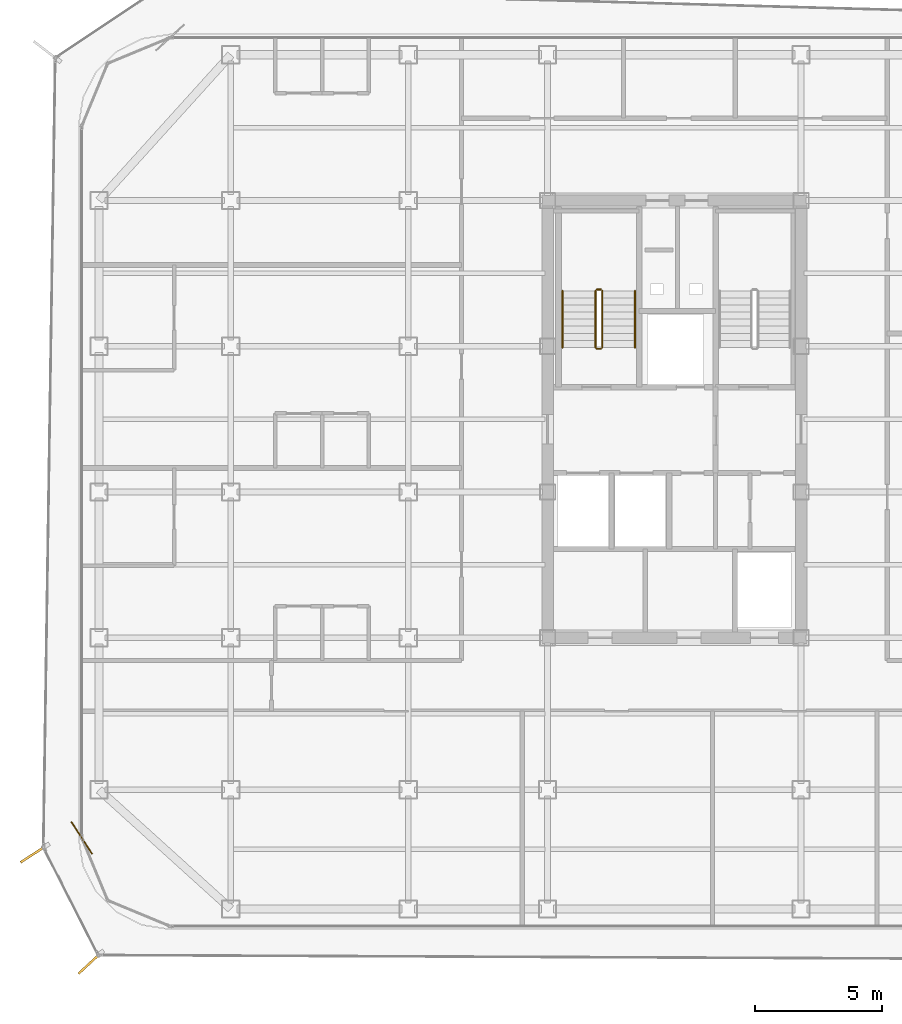
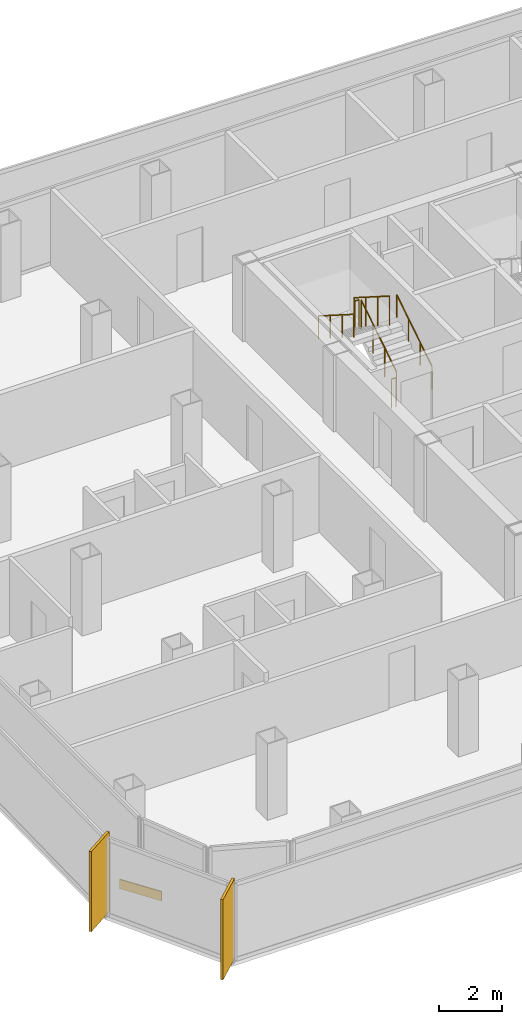
# One storey, part 13 of 15: 6 railings, 2 shading devices, 1 covering.
"""IFC4 building model written with IfcOpenShell, lengths in metres."""

from ifc_helpers import new_model, si_unit, direction, frame, origin, origin_2d, place, context, subcontext, project, spatial, rectangle, circle, extrude, source, transform, mapped, material, layer, layer_set, type_object, element, save


model = new_model("IFC4")

# Units and contexts
model_context = context("Model", 3, precision=1e-05, world=origin(), true_north=direction((0.0, 1.0)))
body_context = subcontext(model_context, "Body", "Model", "MODEL_VIEW")
ifc_project = project(units=[si_unit("LENGTHUNIT", "METRE"), si_unit("AREAUNIT", "SQUARE_METRE"), si_unit("VOLUMEUNIT", "CUBIC_METRE"), si_unit("PLANEANGLEUNIT", "RADIAN"), si_unit("MASSUNIT", "GRAM", prefix="KILO")], contexts=[model_context])

# Site, building, storey
site_placement = place(None, origin())
site = spatial("IfcSite", under=ifc_project, at=site_placement, CompositionType="ELEMENT")
building_placement = place(site_placement, origin())
building = spatial("IfcBuilding", under=site, at=building_placement, Name="Kolveth Station Tower", CompositionType="ELEMENT")
storey_placement = place(building_placement, frame((0.0, 0.0, 193.199951171875)))
storey = spatial("IfcBuildingStorey", under=building, at=storey_placement, Name="L54", CompositionType="ELEMENT", Elevation=193.199951171875)

# Railings
ifc_material_1 = material(Name="Painted Steel S355 balustrade", Category="steel")
railing_type_1 = type_object("IfcRailingType", Name="Guard_GR2", PredefinedType="BALUSTRADE", material=ifc_material_1)
railing_1_placement = place(storey_placement, frame((20.64990234375, 22.949951171875, 0.177734375)))
element("IfcRailing", 1, at=railing_1_placement, inside=storey, type_object=railing_type_1, Name="L54 ST1 stair guard 1", PredefinedType="BALUSTRADE", context=body_context, shape_type="SweptSolid", body=[
    extrude(circle(Radius=0.02392578125, at=origin_2d()), frame((0.0, 0.0, 1.1259765625), z_axis=(0.0, 0.84418770128, 0.536047689118), x_axis=(-1.0, 0.0, 0.0)), (0.0, 0.0, 1.0), 2.6533203125),
    extrude(circle(Radius=0.02099609375, at=origin_2d()), origin(), (0.0, 0.0, 1.0), 1.101806640625),
    extrude(circle(Radius=0.02099609375, at=origin_2d()), frame((0.0, 0.74658203125, 0.47412109375)), (0.0, 0.0, 1.0), 1.101806640625),
    extrude(circle(Radius=0.02099609375, at=origin_2d()), frame((0.0, 1.493408203125, 0.9482421875)), (0.0, 0.0, 1.0), 1.101806640625),
    extrude(circle(Radius=0.02099609375, at=origin_2d()), frame((0.0, 2.239990234375, 1.42236328125)), (0.0, 0.0, 1.0), 1.101806640625),
])
railing_2_placement = place(storey_placement, frame((20.60009765625, 25.239990234375, 1.60009765625)))
element("IfcRailing", 2, at=railing_2_placement, inside=storey, type_object=railing_type_1, Name="L54 ST1 stair guard 2", PredefinedType="BALUSTRADE", context=body_context, shape_type="SweptSolid", body=[
    extrude(circle(Radius=0.02392578125, at=origin_2d()), frame((0.0, 0.0, 1.1259765625), z_axis=(-1.0, 0.0, 0.0), x_axis=(0.0, -1.0, 0.0)), (0.0, 0.0, 1.0), 0.16015625),
    extrude(circle(Radius=0.02099609375, at=origin_2d()), origin(), (0.0, 0.0, 1.0), 1.101806640625),
    extrude(circle(Radius=0.02099609375, at=origin_2d()), frame((-0.16015625, 0.0, 0.0)), (0.0, 0.0, 1.0), 1.101806640625),
])
railing_3_placement = place(storey_placement, frame((20.389892578125, 25.18994140625, 1.77783203125)))
element("IfcRailing", 3, at=railing_3_placement, inside=storey, type_object=railing_type_1, Name="L54 ST1 stair guard 3", PredefinedType="BALUSTRADE", context=body_context, shape_type="SweptSolid", body=[
    extrude(circle(Radius=0.02392578125, at=origin_2d()), frame((0.0, 0.0, 1.1259765625), z_axis=(0.0, -0.8442293374, 0.53598211339), x_axis=(1.0, 0.0, 0.0)), (0.0, 0.0, 1.0), 2.6533203125),
    extrude(circle(Radius=0.02099609375, at=origin_2d()), origin(), (0.0, 0.0, 1.0), 1.101806640625),
    extrude(circle(Radius=0.02099609375, at=origin_2d()), frame((0.0, -0.74658203125, 0.47412109375)), (0.0, 0.0, 1.0), 1.101806640625),
    extrude(circle(Radius=0.02099609375, at=origin_2d()), frame((0.0, -1.493408203125, 0.947998046875)), (0.0, 0.0, 1.0), 1.101806640625),
    extrude(circle(Radius=0.02099609375, at=origin_2d()), frame((0.0, -2.239990234375, 1.422119140625)), (0.0, 0.0, 1.0), 1.101806640625),
])
railing_4_placement = place(storey_placement, frame((20.60009765625, 22.89990234375, 0.0)))
element("IfcRailing", 4, at=railing_4_placement, inside=storey, type_object=railing_type_1, Name="L54 ST1 stair guard 4", PredefinedType="BALUSTRADE", context=body_context, shape_type="SweptSolid", body=[
    extrude(circle(Radius=0.02392578125, at=origin_2d()), frame((0.0, 0.0, 1.1259765625), z_axis=(-1.0, 0.0, 0.0), x_axis=(0.0, -1.0, 0.0)), (0.0, 0.0, 1.0), 0.16015625),
    extrude(circle(Radius=0.02099609375, at=origin_2d()), origin(), (0.0, 0.0, 1.0), 1.101806640625),
    extrude(circle(Radius=0.02099609375, at=origin_2d()), frame((-0.16015625, 0.0, 0.0)), (0.0, 0.0, 1.0), 1.101806640625),
])
ifc_material_2 = material(Name="Brushed stainless steel", Category="steel")
railing_type_2 = type_object("IfcRailingType", Name="Handrail_HR1", PredefinedType="HANDRAIL", material=ifc_material_2)
railing_5_placement = place(storey_placement, frame((21.949951171875, 22.949951171875, 0.177734375)))
element("IfcRailing", 5, at=railing_5_placement, inside=storey, type_object=railing_type_2, Name="L54 ST1 stair handrail 1", PredefinedType="HANDRAIL", context=body_context, shape_type="SweptSolid", body=[
    extrude(circle(Radius=0.02392578125, at=origin_2d()), frame((0.0, 0.0, 0.8759765625), z_axis=(0.0, 0.84418770128, 0.536047689118), x_axis=(-1.0, 0.0, 0.0)), (0.0, 0.0, 1.0), 2.6533203125),
    extrude(circle(Radius=0.02099609375, at=origin_2d()), origin(), (0.0, 0.0, 1.0), 0.851806640625),
    extrude(circle(Radius=0.02099609375, at=origin_2d()), frame((0.0, 0.74658203125, 0.47412109375)), (0.0, 0.0, 1.0), 0.851806640625),
    extrude(circle(Radius=0.02099609375, at=origin_2d()), frame((0.0, 1.493408203125, 0.9482421875)), (0.0, 0.0, 1.0), 0.851806640625),
    extrude(circle(Radius=0.02099609375, at=origin_2d()), frame((0.0, 2.239990234375, 1.42236328125)), (0.0, 0.0, 1.0), 0.851806640625),
])
railing_6_placement = place(storey_placement, frame((19.090087890625, 25.18994140625, 1.77783203125)))
element("IfcRailing", 6, at=railing_6_placement, inside=storey, type_object=railing_type_2, Name="L54 ST1 stair handrail 2", PredefinedType="HANDRAIL", context=body_context, shape_type="SweptSolid", body=[
    extrude(circle(Radius=0.02392578125, at=origin_2d()), frame((0.0, 0.0, 0.8759765625), z_axis=(0.0, -0.8442293374, 0.53598211339), x_axis=(1.0, 0.0, 0.0)), (0.0, 0.0, 1.0), 2.6533203125),
    extrude(circle(Radius=0.02099609375, at=origin_2d()), origin(), (0.0, 0.0, 1.0), 0.851806640625),
    extrude(circle(Radius=0.02099609375, at=origin_2d()), frame((0.0, -0.74658203125, 0.47412109375)), (0.0, 0.0, 1.0), 0.851806640625),
    extrude(circle(Radius=0.02099609375, at=origin_2d()), frame((0.0, -1.493408203125, 0.947998046875)), (0.0, 0.0, 1.0), 0.851806640625),
    extrude(circle(Radius=0.02099609375, at=origin_2d()), frame((0.0, -2.239990234375, 1.422119140625)), (0.0, 0.0, 1.0), 0.851806640625),
])

# Shading devices
ifc_material_3 = material(Name="Black anodized aluminium 6063-T6", Category="aluminium")
shading_device_type = type_object("IfcShadingDeviceType", Name="FIN_VF1", PredefinedType="USERDEFINED", material=ifc_material_3)
shared_shape_1 = source(origin(), body_context, "Body", "SweptSolid", [
    extrude(rectangle(XDim=1.25, YDim=0.090087890625, at=origin_2d()), origin(), (0.0, 0.0, 1.0), 3.10009765625),
])
for number, where, z_axis, x_axis, name in (
    (7, (-1.76904296875, 2.97705078125, 0.0), (0.0, 0.0, 1.0), (-0.839525049921, -0.543320982988, 0.0), "L54 Dark-Aluminium Solar Fin 7"),
    (8, (0.445068359375, -1.333984375, 0.0), (0.0, 0.0, 1.0), (-0.733017953051, -0.680209291693, 0.0), "L54 Dark-Aluminium Solar Fin 8"),
):
    element("IfcShadingDevice", number, at=place(storey_placement, frame(where, z_axis=z_axis, x_axis=x_axis)), inside=storey, type_object=shading_device_type, Name=name, ObjectType="FIN", PredefinedType="USERDEFINED", context=body_context, shape_type="MappedRepresentation", body=[
        mapped(shared_shape_1, transform((0.0, 0.0, 0.0), x_axis=(1.0, 0.0, 0.0), y_axis=(0.0, 1.0, 0.0), z_axis=(0.0, 0.0, 1.0), scale=1.0)),
    ])

# Covering
ifc_material_4 = material(Name="Charcoal anodized aluminium spandrel cladding", Category="aluminium")
ifc_layer = layer(ifc_material_4, 0.044921875)
ifc_layer_set = layer_set([ifc_layer], Name="Charcoal anodized aluminium spandrel cladding")
covering_type = type_object("IfcCoveringType", Name="Clad_CD1", PredefinedType="CLADDING", material=ifc_layer_set)
shared_shape_2 = source(origin(), body_context, "Body", "SweptSolid", [
    extrude(rectangle(XDim=1.5, YDim=0.044921875, at=origin_2d()), origin(), (0.0, 0.0, 1.0), 0.360107421875),
])
covering_placement = place(storey_placement, frame((0.1201171875, 3.60009765625, 0.0), z_axis=(0.0, 0.0, 1.0), x_axis=(0.543320982988, -0.839525049921, 0.0)))
element("IfcCovering", 9, at=covering_placement, inside=storey, type_object=covering_type, Name="L54 Spandrel Edge Cladding 7", PredefinedType="CLADDING", context=body_context, shape_type="MappedRepresentation", body=[
    mapped(shared_shape_2, transform((0.0, 0.0, 0.0), x_axis=(1.0, 0.0, 0.0), y_axis=(0.0, 1.0, 0.0), z_axis=(0.0, 0.0, 1.0), scale=1.0)),
])

save(model, "model.ifc")
